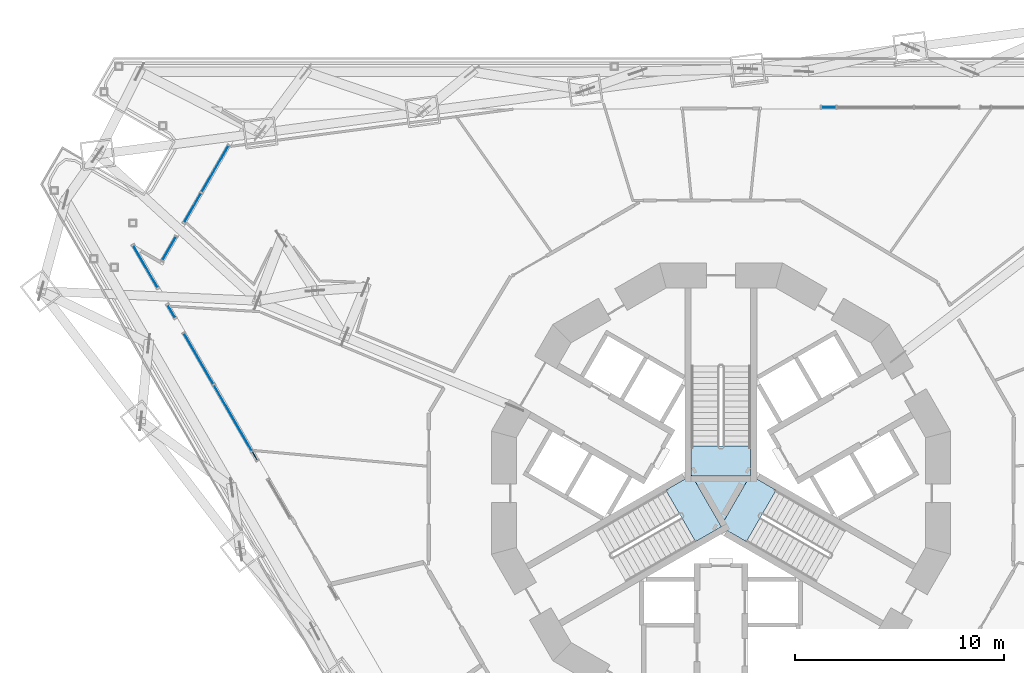
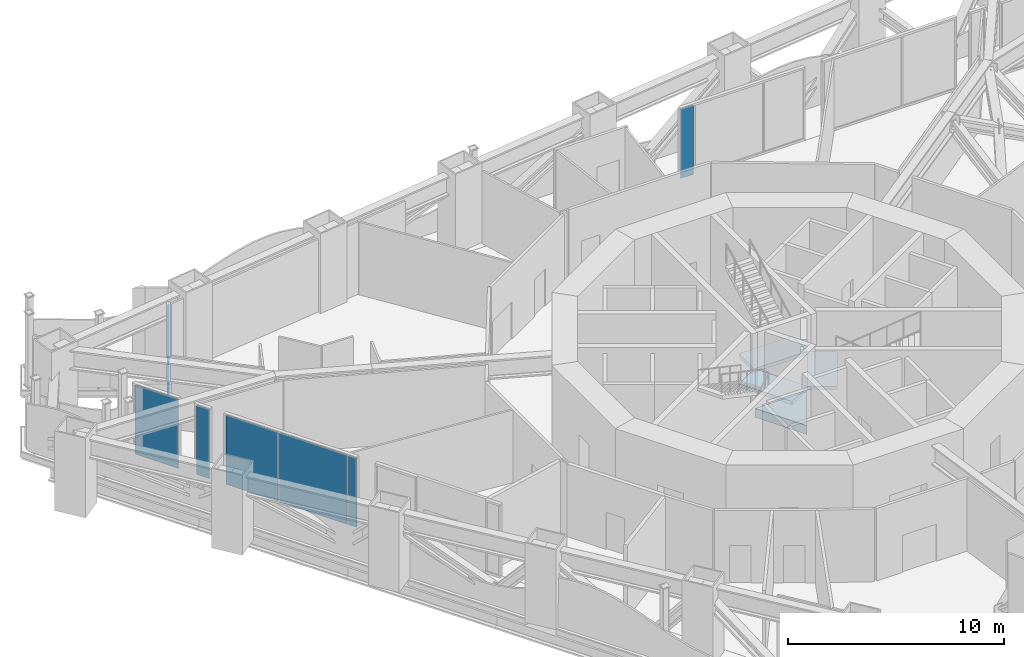
# One storey, part 11 of 28: 9 plates, 4 slabs, 9 elements without a shape of their own.
"""IFC4 building model written with IfcOpenShell, lengths in metres."""

from ifc_helpers import new_model, si_unit, direction, frame, origin, origin_2d, place, context, subcontext, project, spatial, polyline, rectangle, outline, extrude, material, layer, layer_set, type_object, element, aggregate, save


model = new_model("IFC4")

# Units and contexts
model_context = context("Model", 3, precision=1e-05, world=origin(), true_north=direction((0.0, 1.0)))
body_context = subcontext(model_context, "Body", "Model", "MODEL_VIEW")
ifc_project = project(units=[si_unit("LENGTHUNIT", "METRE"), si_unit("AREAUNIT", "SQUARE_METRE"), si_unit("VOLUMEUNIT", "CUBIC_METRE"), si_unit("PLANEANGLEUNIT", "RADIAN"), si_unit("MASSUNIT", "GRAM", prefix="KILO")], contexts=[model_context])

# Site, building, storey
site_placement = place(None, origin())
site = spatial("IfcSite", under=ifc_project, at=site_placement, CompositionType="ELEMENT")
building_placement = place(site_placement, origin())
building = spatial("IfcBuilding", under=site, at=building_placement, Name="Trine Commons Tower", CompositionType="ELEMENT")
storey_placement = place(building_placement, frame((0.0, 0.0, 45.89990234375)))
storey = spatial("IfcBuildingStorey", under=building, at=storey_placement, Name="L10", CompositionType="ELEMENT", Elevation=45.89990234375)

# Curtain wall, plate
ifc_material_1 = material(Name="Sky lounge glazing: anodised aluminium frame with low-emissivity double glazed unit, solar control", Category="aluminium")
ifc_layer_1 = layer(ifc_material_1, 0.179931640625)
ifc_layer_set_1 = layer_set([ifc_layer_1], Name="Sky lounge glazing: anodised aluminium frame with low-emissivity double glazed unit, solar control")
curtain_wall_type = type_object("IfcCurtainWallType", Name="Sky lounge glazing curtain wall CW5", PredefinedType="NOTDEFINED", material=ifc_layer_set_1)
curtain_wall_1_placement = place(storey_placement, origin())
curtain_wall_1 = element("IfcCurtainWall", 1, at=curtain_wall_1_placement, inside=storey, type_object=curtain_wall_type, Name="Sky lounge glazing L10 P1.1", PredefinedType="NOTDEFINED")
ifc_material_2 = material(Name="Low-emissivity double glazed unit, solar control")
ifc_layer_2 = layer(ifc_material_2, 0.031982421875)
ifc_layer_set_2 = layer_set([ifc_layer_2], Name="Low-emissivity double glazed unit, solar control")
plate_type = type_object("IfcPlateType", Name="Double glazed unit 32 mm (sky floors)", PredefinedType="CURTAIN_PANEL", material=ifc_layer_set_2)
plate_1_placement = place(storey_placement, frame((53.548583984375, 74.20361328125, 0.1103515625), z_axis=(0.0, 0.0, 1.0), x_axis=(0.5, 0.866025403784, 0.0)))
plate_1 = element("IfcPlate", 2, at=plate_1_placement, type_object=plate_type, Name="CW5 panel 1.1", PredefinedType="CURTAIN_PANEL", context=body_context, shape_type="SweptSolid", body=[
    extrude(rectangle(XDim=1.269775390625, YDim=0.031982421875, at=origin_2d()), origin(), (0.0, 0.0, 1.0), 3.929931640625),
])
aggregate(curtain_wall_1, [plate_1])

# Curtain wall, plates
curtain_wall_2_placement = place(storey_placement, origin())
curtain_wall_2 = element("IfcCurtainWall", 3, at=curtain_wall_2_placement, inside=storey, type_object=curtain_wall_type, Name="Sky lounge glazing L10 P1.2", PredefinedType="NOTDEFINED")
plate_2_placement = place(storey_placement, frame((54.67333984375, 76.151611328125, 0.1103515625), z_axis=(0.0, 0.0, 1.0), x_axis=(0.5, 0.866025403784, 0.0)))
plate_2 = element("IfcPlate", 4, at=plate_2_placement, type_object=plate_type, Name="CW5 panel 1.1", PredefinedType="CURTAIN_PANEL", context=body_context, shape_type="SweptSolid", body=[
    extrude(rectangle(XDim=1.606689453125, YDim=0.031982421875, at=origin_2d()), origin(), (0.0, 0.0, 1.0), 3.929931640625),
])
plate_3_placement = place(storey_placement, frame((55.75, 78.01611328125, 0.1103515625), z_axis=(0.0, 0.0, 1.0), x_axis=(0.5, 0.866025403784, 0.0)))
plate_3 = element("IfcPlate", 5, at=plate_3_placement, type_object=plate_type, Name="CW5 panel 2.1", PredefinedType="CURTAIN_PANEL", context=body_context, shape_type="SweptSolid", body=[
    extrude(rectangle(XDim=2.5498046875, YDim=0.031982421875, at=origin_2d()), origin(), (0.0, 0.0, 1.0), 3.929931640625),
])
aggregate(curtain_wall_2, [plate_2, plate_3])

# Curtain wall, plate
curtain_wall_3_placement = place(storey_placement, origin())
curtain_wall_3 = element("IfcCurtainWall", 6, at=curtain_wall_3_placement, inside=storey, type_object=curtain_wall_type, Name="Sky lounge glazing L10 F1.1", PredefinedType="NOTDEFINED")
plate_4_placement = place(storey_placement, frame((85.173095703125, 80.974609375, 0.1103515625), z_axis=(0.0, 0.0, 1.0), x_axis=(1.0, 0.0, 0.0)))
plate_4 = element("IfcPlate", 7, at=plate_4_placement, type_object=plate_type, Name="CW5 panel 1.1", PredefinedType="CURTAIN_PANEL", context=body_context, shape_type="SweptSolid", body=[
    extrude(rectangle(XDim=0.6748046875, YDim=0.031982421875, at=origin_2d()), origin(), (0.0, 0.0, 1.0), 3.929931640625),
])
aggregate(curtain_wall_3, [plate_4])

# Curtain wall, plates
curtain_wall_4_placement = place(storey_placement, origin())
curtain_wall_4 = element("IfcCurtainWall", 8, at=curtain_wall_4_placement, inside=storey, type_object=curtain_wall_type, Name="Sky lounge glazing L10 F3.3", PredefinedType="NOTDEFINED")
plate_5_placement = place(storey_placement, frame((57.6513671875, 64.260009765625, 0.1103515625), z_axis=(0.0, 0.0, 1.0), x_axis=(-0.5, 0.866025403784, 0.0)))
plate_5 = element("IfcPlate", 9, at=plate_5_placement, type_object=plate_type, Name="CW5 panel 1.1", PredefinedType="CURTAIN_PANEL", context=body_context, shape_type="SweptSolid", body=[
    extrude(rectangle(XDim=0.419921875, YDim=0.031982421875, at=origin_2d()), origin(), (0.0, 0.0, 1.0), 3.929931640625),
])
plate_6_placement = place(storey_placement, frame((56.602783203125, 66.075927734375, 0.1103515625), z_axis=(0.0, 0.0, 1.0), x_axis=(-0.5, 0.866025403784, 0.0)))
plate_6 = element("IfcPlate", 10, at=plate_6_placement, type_object=plate_type, Name="CW5 panel 2.1", PredefinedType="CURTAIN_PANEL", context=body_context, shape_type="SweptSolid", body=[
    extrude(rectangle(XDim=3.623779296875, YDim=0.031982421875, at=origin_2d()), origin(), (0.0, 0.0, 1.0), 3.929931640625),
])
plate_7_placement = place(storey_placement, frame((54.9619140625, 68.918212890625, 0.1103515625), z_axis=(0.0, 0.0, 1.0), x_axis=(-0.5, 0.866025403784, 0.0)))
plate_7 = element("IfcPlate", 11, at=plate_7_placement, type_object=plate_type, Name="CW5 panel 3.1", PredefinedType="CURTAIN_PANEL", context=body_context, shape_type="SweptSolid", body=[
    extrude(rectangle(XDim=2.790283203125, YDim=0.031982421875, at=origin_2d()), origin(), (0.0, 0.0, 1.0), 3.929931640625),
])
aggregate(curtain_wall_4, [plate_5, plate_6, plate_7])

# Curtain wall, plate
curtain_wall_5_placement = place(storey_placement, origin())
curtain_wall_5 = element("IfcCurtainWall", 12, at=curtain_wall_5_placement, inside=storey, type_object=curtain_wall_type, Name="Sky lounge glazing L10 F3.4", PredefinedType="NOTDEFINED")
plate_8_placement = place(storey_placement, frame((53.65087890625, 71.18896484375, 0.1103515625), z_axis=(0.0, 0.0, 1.0), x_axis=(-0.5, 0.866025403784, 0.0)))
plate_8 = element("IfcPlate", 13, at=plate_8_placement, type_object=plate_type, Name="CW5 panel 1.1", PredefinedType="CURTAIN_PANEL", context=body_context, shape_type="SweptSolid", body=[
    extrude(rectangle(XDim=0.689453125, YDim=0.031982421875, at=origin_2d()), origin(), (0.0, 0.0, 1.0), 3.929931640625),
])
aggregate(curtain_wall_5, [plate_8])

curtain_wall_6_placement = place(storey_placement, origin())
curtain_wall_6 = element("IfcCurtainWall", 14, at=curtain_wall_6_placement, inside=storey, type_object=curtain_wall_type, Name="Sky lounge glazing L10 F3.5", PredefinedType="NOTDEFINED")
plate_9_placement = place(storey_placement, frame((52.41064453125, 73.3369140625, 0.1103515625), z_axis=(0.0, 0.0, 1.0), x_axis=(-0.5, 0.866025403784, 0.0)))
plate_9 = element("IfcPlate", 15, at=plate_9_placement, type_object=plate_type, Name="CW5 panel 1.1", PredefinedType="CURTAIN_PANEL", context=body_context, shape_type="SweptSolid", body=[
    extrude(rectangle(XDim=2.323486328125, YDim=0.031982421875, at=origin_2d()), origin(), (0.0, 0.0, 1.0), 3.929931640625),
])
aggregate(curtain_wall_6, [plate_9])

# Stair, slab
ifc_material_3 = material(Name="Concrete C50/60", Category="concrete")
stair_type = type_object("IfcStairType", Name="Exit stair, dog-leg, 30 risers of 150 mm", PredefinedType="HALF_TURN_STAIR", material=ifc_material_3)
stair_1_placement = place(storey_placement, origin())
stair_1 = element("IfcStair", 16, at=stair_1_placement, inside=storey, type_object=stair_type, Name="L10 Exit stair ST1A", PredefinedType="HALF_TURN_STAIR")
ifc_layer_3 = layer(ifc_material_3, 0.199951171875)
ifc_layer_set_3 = layer_set([ifc_layer_3], Name="Concrete C50/60")
slab_type_1 = type_object("IfcSlabType", Name="Stair landing slab 200 mm, C50/60", PredefinedType="LANDING", material=ifc_layer_set_3)
slab_1_placement = place(storey_placement, frame((0.0, 0.0, 2.050048828125)))
slab_1 = element("IfcSlab", 17, at=slab_1_placement, type_object=slab_type_1, Name="ST1A landing 1", PredefinedType="LANDING", context=body_context, shape_type="SweptSolid", body=[
    extrude(outline(polyline([(78.574951171875, 64.730712890625), (78.574951171875, 63.300537109375), (81.425048828125, 63.300537109375), (81.425048828125, 64.730712890625), (78.574951171875, 64.730712890625)])), origin(), (0.0, 0.0, 1.0), 0.199951171875),
])
aggregate(stair_1, [slab_1])

stair_2_placement = place(storey_placement, origin())
stair_2 = element("IfcStair", 18, at=stair_2_placement, inside=storey, type_object=stair_type, Name="L10 Exit stair ST2A", PredefinedType="HALF_TURN_STAIR")
slab_2_placement = place(storey_placement, frame((0.0, 0.0, 2.050048828125)))
slab_2 = element("IfcSlab", 19, at=slab_2_placement, type_object=slab_type_1, Name="ST2A landing 1", PredefinedType="LANDING", context=body_context, shape_type="SweptSolid", body=[
    extrude(outline(polyline([(78.78076171875, 60.150634765625), (80.019287109375, 60.86572265625), (78.59423828125, 63.333740234375), (77.355712890625, 62.618896484375), (78.78076171875, 60.150634765625)])), origin(), (0.0, 0.0, 1.0), 0.199951171875),
])
aggregate(stair_2, [slab_2])

stair_3_placement = place(storey_placement, origin())
stair_3 = element("IfcStair", 20, at=stair_3_placement, inside=storey, type_object=stair_type, Name="L10 Exit stair ST3A", PredefinedType="HALF_TURN_STAIR")
slab_3_placement = place(storey_placement, frame((0.0, 0.0, 2.050048828125)))
slab_3 = element("IfcSlab", 21, at=slab_3_placement, type_object=slab_type_1, Name="ST3A landing 1", PredefinedType="LANDING", context=body_context, shape_type="SweptSolid", body=[
    extrude(outline(polyline([(82.644287109375, 62.618896484375), (81.40576171875, 63.333740234375), (79.980712890625, 60.86572265625), (81.21923828125, 60.150634765625), (82.644287109375, 62.618896484375)])), origin(), (0.0, 0.0, 1.0), 0.199951171875),
])
aggregate(stair_3, [slab_3])

# Slab
ifc_layer_4 = layer(ifc_material_3, 0.5)
ifc_layer_set_4 = layer_set([ifc_layer_4], Name="Concrete C50/60")
slab_type_2 = type_object("IfcSlabType", Name="Transfer floor slab 500 mm, C50/60", PredefinedType="FLOOR", material=ifc_layer_set_4)
slab_4_placement = place(storey_placement, frame((0.0, 0.0, -0.5)))
element("IfcSlab", 22, at=slab_4_placement, inside=storey, type_object=slab_type_2, Name="Floor slab L10 2", PredefinedType="FLOOR", context=body_context, shape_type="SweptSolid", body=[
    extrude(outline(polyline([(78.61328125, 63.300537109375), (80.0, 60.89892578125), (81.38671875, 63.300537109375), (78.61328125, 63.300537109375)])), origin(), (0.0, 0.0, 1.0), 0.5),
])

save(model, "model.ifc")
